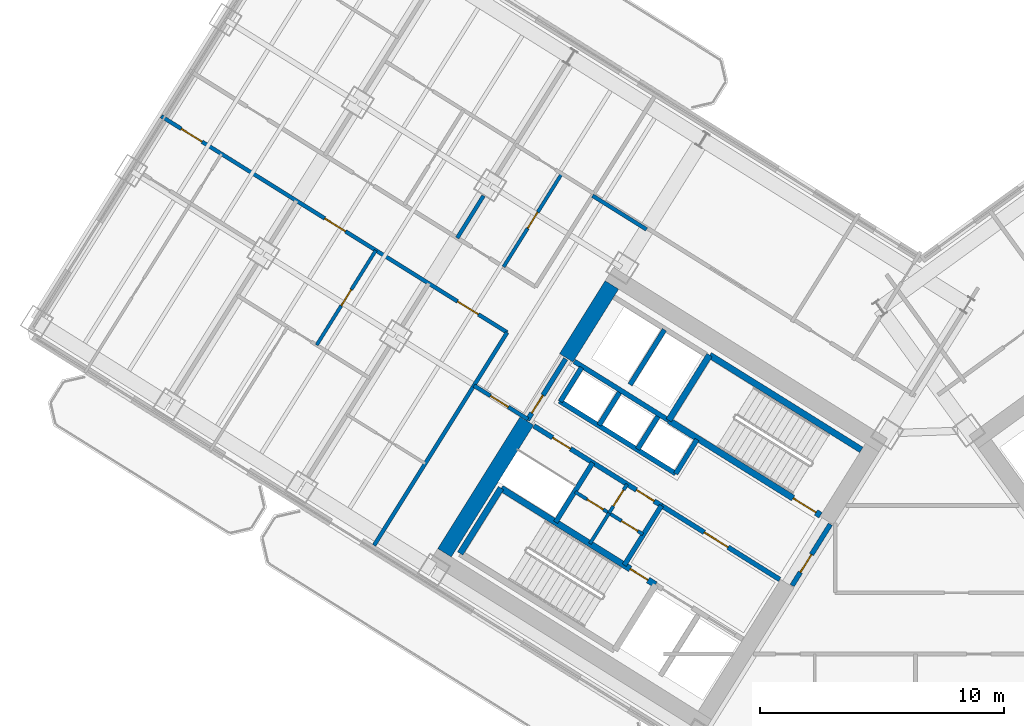
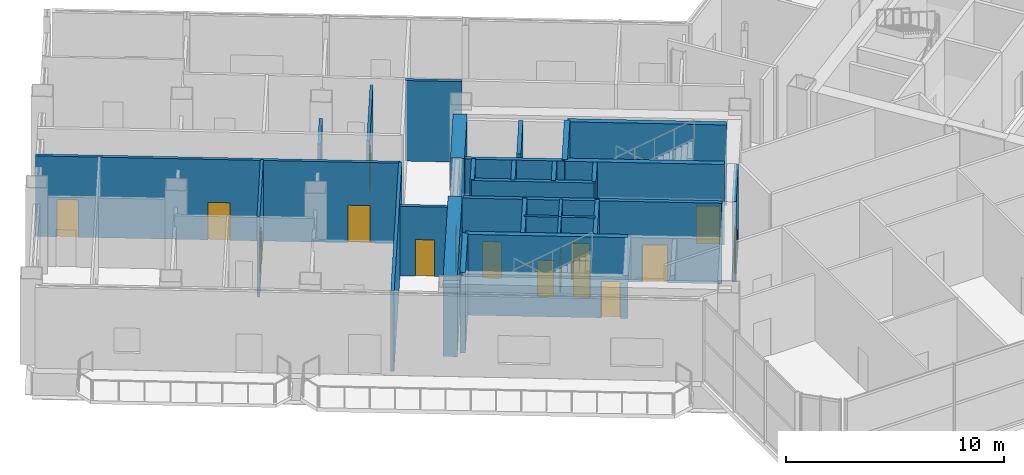
# One storey, part 13 of 22: 30 walls, 16 doors, 16 openings.
"""IFC4 building model written with IfcOpenShell, lengths in metres."""

from ifc_helpers import new_model, si_unit, direction, frame, frame_2d, origin, place, context, subcontext, project, spatial, rectangle, extrude, source, transform, mapped, material, layer, layer_set, type_object, element, fill, save


model = new_model("IFC4")

# Units and contexts
model_context = context("Model", 3, precision=1e-05, world=origin(), true_north=direction((0.0, 1.0)))
body_context = subcontext(model_context, "Body", "Model", "MODEL_VIEW")
ifc_project = project(units=[si_unit("LENGTHUNIT", "METRE"), si_unit("AREAUNIT", "SQUARE_METRE"), si_unit("VOLUMEUNIT", "CUBIC_METRE"), si_unit("PLANEANGLEUNIT", "RADIAN"), si_unit("MASSUNIT", "GRAM", prefix="KILO")], contexts=[model_context])

# Site, building, storey
site_placement = place(None, origin())
site = spatial("IfcSite", under=ifc_project, at=site_placement, CompositionType="ELEMENT")
building_placement = place(site_placement, origin())
building = spatial("IfcBuilding", under=site, at=building_placement, Name="Tlacorven Tower", CompositionType="ELEMENT")
storey_placement = place(building_placement, frame((0.0, 0.0, 71.699951171875)))
storey = spatial("IfcBuildingStorey", under=building, at=storey_placement, Name="L18", CompositionType="ELEMENT", Elevation=71.699951171875)

# Walls
ifc_material_1 = material(Name="Concrete C60/75", Category="concrete")
ifc_layer_1 = layer(ifc_material_1, 0.64990234375)
ifc_layer_set_1 = layer_set([ifc_layer_1], Name="Concrete C60/75")
wall_type_1 = type_object("IfcWallType", Name="WL-COR-650", PredefinedType="SHEAR", material=ifc_layer_set_1)
wall_1_placement = place(storey_placement, frame((29.49072265625, 30.5517578125, 0.0), z_axis=(0.0, 0.0, 1.0), x_axis=(-0.529893103397, -0.8480644427, 0.0)))
element("IfcWall", 1, at=wall_1_placement, inside=storey, type_object=wall_type_1, Name="L18 W core end wall E2.1", PredefinedType="SHEAR", context=body_context, shape_type="SweptSolid", body=[
    extrude(rectangle(XDim=3.525146484375, YDim=0.64990234375, at=frame_2d((1.7626953125, 0.0))), origin(), (0.0, 0.0, 1.0), 4.52001953125),
])
wall_2_placement = place(storey_placement, frame((26.006591796875, 24.975830078125, 0.0), z_axis=(0.0, 0.0, 1.0), x_axis=(-0.529916319127, -0.848049936456, 0.0)))
element("IfcWall", 2, at=wall_2_placement, inside=storey, type_object=wall_type_1, Name="L18 W core end wall E2.2", PredefinedType="SHEAR", context=body_context, shape_type="SweptSolid", body=[
    extrude(rectangle(XDim=6.375, YDim=0.64990234375, at=frame_2d((3.1875, 0.0))), origin(), (0.0, 0.0, 1.0), 4.52001953125),
])
ifc_material_2 = material(Name="Gypsum plasterboard acoustic partition", Category="gypsum")
ifc_layer_2 = layer(ifc_material_2, 0.159912109375)
ifc_layer_set_2 = layer_set([ifc_layer_2], Name="Gypsum plasterboard acoustic partition")
wall_type_2 = type_object("IfcWallType", Name="WL-DEM-160", PredefinedType="PARTITIONING", material=ifc_layer_set_2)
wall_3_placement = place(storey_placement, frame((30.91357421875, 32.82861328125, 0.0), z_axis=(0.0, 0.0, 1.0), x_axis=(-0.848008813643, 0.529982124211, 0.0)))
element("IfcWall", 3, at=wall_3_placement, inside=storey, type_object=wall_type_2, Name="L18 partition 49", PredefinedType="PARTITIONING", context=body_context, shape_type="SweptSolid", body=[
    extrude(rectangle(XDim=2.610107421875, YDim=0.159912109375, at=frame_2d((1.30517578125, 0.0))), origin(), (0.0, 0.0, 1.0), 4.510009765625),
])

# Wall, opening, door
wall_4_placement = place(storey_placement, frame((26.048828125, 25.043701171875, 0.0), z_axis=(0.0, 0.0, 1.0), x_axis=(-0.848050851465, 0.529914854792, 0.0)))
wall_4 = element("IfcWall", 4, at=wall_4_placement, inside=storey, type_object=wall_type_2, Name="L18 partition 50", PredefinedType="PARTITIONING", context=body_context, shape_type="SweptSolid", body=[
    extrude(rectangle(XDim=2.60986328125, YDim=0.159912109375, at=frame_2d((1.304931640625, 0.0))), origin(), (0.0, 0.0, 1.0), 3.89501953125),
])
opening_1_placement = place(wall_4_placement, frame((0.949951171875, 0.0, 0.0)))
opening_1 = element("IfcOpeningElement", 5, at=opening_1_placement, cuts=wall_4, Name="Opening D19", PredefinedType="OPENING", context=body_context, shape_type="SweptSolid", body=[
    extrude(rectangle(XDim=0.860107421875, YDim=2.050048828125, at=frame_2d((0.43017578125, 1.02490234375))), frame((0.0, 0.08984375, 0.0), z_axis=(0.0, -1.0, 0.0), x_axis=(1.0, 0.0, 0.0)), (0.0, 0.0, 1.0), 0.179931640625),
])
ifc_material_3 = material(Name="Fire-rated steel door assembly", Category="steel")
door_type_1 = type_object("IfcDoorType", Name="DR-RSR-FD60-0860", OperationType="NOTDEFINED", PredefinedType="DOOR", material=ifc_material_3)
shared_shape_1 = source(origin(), body_context, "Body", "SweptSolid", [
    extrude(rectangle(XDim=0.860107421875, YDim=2.050048828125, at=frame_2d((0.43017578125, 1.02490234375))), frame((0.0, 0.02490234375, 0.0), z_axis=(0.0, -1.0, 0.0), x_axis=(1.0, 0.0, 0.0)), (0.0, 0.0, 1.0), 0.050048828125),
])
door_1_placement = place(opening_1_placement, origin())
door_1 = element("IfcDoor", 6, at=door_1_placement, inside=storey, type_object=door_type_1, Name="L18 door 021", OperationType="SINGLE_SWING_RIGHT", OverallHeight=2.050048828125, OverallWidth=0.860107421875, PredefinedType="DOOR", context=body_context, shape_type="MappedRepresentation", body=[
    mapped(shared_shape_1, transform((0.0, 0.0, 0.0), scale=1.0)),
])
fill(opening_1, door_1)

# Wall
wall_5_placement = place(storey_placement, frame((25.197509765625, 28.606201171875, 0.0), z_axis=(0.0, 0.0, 1.0), x_axis=(-0.529926497642, -0.848043576178, 0.0)))
element("IfcWall", 7, at=wall_5_placement, inside=storey, type_object=wall_type_2, Name="L18 partition 52", PredefinedType="PARTITIONING", context=body_context, shape_type="SweptSolid", body=[
    extrude(rectangle(XDim=10.300048828125, YDim=0.159912109375, at=frame_2d((5.14990234375, 0.0))), origin(), (0.0, 0.0, 1.0), 4.510009765625),
])

# Wall, openings, doors
wall_6_placement = place(storey_placement, frame((25.197509765625, 28.606201171875, 0.0), z_axis=(0.0, 0.0, 1.0), x_axis=(-0.848052408131, 0.529912363569, 0.0)))
wall_6 = element("IfcWall", 8, at=wall_6_placement, inside=storey, type_object=wall_type_2, Name="L18 Wing W Corridor North Wall", PredefinedType="PARTITIONING", context=body_context, shape_type="SweptSolid", body=[
    extrude(rectangle(XDim=16.72998046875, YDim=0.159912109375, at=frame_2d((8.364990234375, 0.0))), origin(), (0.0, 0.0, 1.0), 4.510009765625),
])
opening_2_placement = place(wall_6_placement, frame((1.39501953125, 0.0, 0.0)))
opening_2 = element("IfcOpeningElement", 9, at=opening_2_placement, cuts=wall_6, Name="Opening D11", PredefinedType="OPENING", context=body_context, shape_type="SweptSolid", body=[
    extrude(rectangle(XDim=1.0, YDim=2.10009765625, at=frame_2d((0.5, 1.050048828125))), frame((0.0, 0.08984375, 0.0), z_axis=(0.0, -1.0, 0.0), x_axis=(1.0, 0.0, 0.0)), (0.0, 0.0, 1.0), 0.179931640625),
])
opening_3_placement = place(wall_6_placement, frame((7.820068359375, 0.0, 0.0)))
opening_3 = element("IfcOpeningElement", 10, at=opening_3_placement, cuts=wall_6, Name="Opening D11", PredefinedType="OPENING", context=body_context, shape_type="SweptSolid", body=[
    extrude(rectangle(XDim=1.0, YDim=2.10009765625, at=frame_2d((0.5, 1.050048828125))), frame((0.0, 0.08984375, 0.0), z_axis=(0.0, -1.0, 0.0), x_axis=(1.0, 0.0, 0.0)), (0.0, 0.0, 1.0), 0.179931640625),
])
opening_4_placement = place(wall_6_placement, frame((14.760009765625, 0.0, 0.0)))
opening_4 = element("IfcOpeningElement", 11, at=opening_4_placement, cuts=wall_6, Name="Opening D11", PredefinedType="OPENING", context=body_context, shape_type="SweptSolid", body=[
    extrude(rectangle(XDim=1.0, YDim=2.10009765625, at=frame_2d((0.5, 1.050048828125))), frame((0.0, 0.08984375, 0.0), z_axis=(0.0, -1.0, 0.0), x_axis=(1.0, 0.0, 0.0)), (0.0, 0.0, 1.0), 0.179931640625),
])
door_type_2 = type_object("IfcDoorType", Name="DR-FLT-FD60-1000", OperationType="NOTDEFINED", PredefinedType="DOOR", material=ifc_material_3)
shared_shape_2 = source(origin(), body_context, "Body", "SweptSolid", [
    extrude(rectangle(XDim=1.0, YDim=2.10009765625, at=frame_2d((0.5, 1.050048828125))), frame((0.0, 0.02490234375, 0.0), z_axis=(0.0, -1.0, 0.0), x_axis=(1.0, 0.0, 0.0)), (0.0, 0.0, 1.0), 0.050048828125),
])
door_2_placement = place(opening_2_placement, origin())
door_2 = element("IfcDoor", 12, at=door_2_placement, inside=storey, type_object=door_type_2, Name="L18 door 023", OperationType="SINGLE_SWING_LEFT", OverallHeight=2.10009765625, OverallWidth=1.0, PredefinedType="DOOR", context=body_context, shape_type="MappedRepresentation", body=[
    mapped(shared_shape_2, transform((0.0, 0.0, 0.0), scale=1.0)),
])
fill(opening_2, door_2)
door_3_placement = place(opening_3_placement, origin())
door_3 = element("IfcDoor", 13, at=door_3_placement, inside=storey, type_object=door_type_2, Name="L18 door 026", OperationType="SINGLE_SWING_RIGHT", OverallHeight=2.10009765625, OverallWidth=1.0, PredefinedType="DOOR", context=body_context, shape_type="MappedRepresentation", body=[
    mapped(shared_shape_2, transform((0.0, 0.0, 0.0), scale=1.0)),
])
fill(opening_3, door_3)
door_4_placement = place(opening_4_placement, origin())
door_4 = element("IfcDoor", 14, at=door_4_placement, inside=storey, type_object=door_type_2, Name="L18 door 030", OperationType="SINGLE_SWING_RIGHT", OverallHeight=2.10009765625, OverallWidth=1.0, PredefinedType="DOOR", context=body_context, shape_type="MappedRepresentation", body=[
    mapped(shared_shape_2, transform((0.0, 0.0, 0.0), scale=1.0)),
])
fill(opening_4, door_4)

# Wall
wall_7_placement = place(storey_placement, frame((24.22900390625, 34.208740234375, 0.0), z_axis=(0.0, 0.0, 1.0), x_axis=(-0.529826648289, -0.84810596199, 0.0)))
element("IfcWall", 15, at=wall_7_placement, inside=storey, type_object=wall_type_2, Name="L18 WS Demising Wall 1", PredefinedType="PARTITIONING", context=body_context, shape_type="SweptSolid", body=[
    extrude(rectangle(XDim=2.0380859375, YDim=0.159912109375, at=frame_2d((1.01904296875, 0.0))), origin(), (0.0, 0.0, 1.0), 3.89501953125),
])

# Wall, opening, door
ifc_material_4 = material(Name="Moisture-resistant gypsum plumbing wall", Category="gypsum")
ifc_layer_3 = layer(ifc_material_4, 0.139892578125)
ifc_layer_set_3 = layer_set([ifc_layer_3], Name="Moisture-resistant gypsum plumbing wall")
wall_type_3 = type_object("IfcWallType", Name="WL-PLM-140", PredefinedType="PLUMBINGWALL", material=ifc_layer_set_3)
wall_8_placement = place(storey_placement, frame((30.117431640625, 22.383544921875, 0.0), z_axis=(0.0, 0.0, 1.0), x_axis=(-0.529951914384, -0.848027693204, 0.0)))
wall_8 = element("IfcWall", 16, at=wall_8_placement, inside=storey, type_object=wall_type_3, Name="L18 partition 23", PredefinedType="PLUMBINGWALL", context=body_context, shape_type="SweptSolid", body=[
    extrude(rectangle(XDim=1.39990234375, YDim=0.139892578125, at=frame_2d((0.699951171875, 0.0))), origin(), (0.0, 0.0, 1.0), 4.510009765625),
])
opening_5_placement = place(wall_8_placement, frame((0.280029296875, 0.0, 0.0)))
opening_5 = element("IfcOpeningElement", 17, at=opening_5_placement, cuts=wall_8, Name="Opening D22", PredefinedType="OPENING", context=body_context, shape_type="SweptSolid", body=[
    extrude(rectangle(XDim=0.780029296875, YDim=2.050048828125, at=frame_2d((0.39013671875, 1.02490234375))), frame((0.0, 0.080078125, 0.0), z_axis=(0.0, -1.0, 0.0), x_axis=(1.0, 0.0, 0.0)), (0.0, 0.0, 1.0), 0.159912109375),
])
ifc_material_5 = material(Name="Powder-coated aluminium and timber door", Category="wood")
door_type_3 = type_object("IfcDoorType", Name="DR-INT-WET-0780", OperationType="NOTDEFINED", PredefinedType="DOOR", material=ifc_material_5)
shared_shape_3 = source(origin(), body_context, "Body", "SweptSolid", [
    extrude(rectangle(XDim=0.780029296875, YDim=2.050048828125, at=frame_2d((0.39013671875, 1.02490234375))), frame((0.0, 0.02490234375, 0.0), z_axis=(0.0, -1.0, 0.0), x_axis=(1.0, 0.0, 0.0)), (0.0, 0.0, 1.0), 0.050048828125),
])
door_5_placement = place(opening_5_placement, origin())
door_5 = element("IfcDoor", 18, at=door_5_placement, inside=storey, type_object=door_type_3, Name="L18 door 008", OperationType="SINGLE_SWING_LEFT", OverallHeight=2.050048828125, OverallWidth=0.780029296875, PredefinedType="DOOR", context=body_context, shape_type="MappedRepresentation", body=[
    mapped(shared_shape_3, transform((0.0, 0.0, 0.0), scale=1.0)),
])
fill(opening_5, door_5)

# Wall
wall_9_placement = place(storey_placement, frame((29.37548828125, 21.1962890625, 0.0), z_axis=(0.0, 0.0, 1.0), x_axis=(-0.529865479138, -0.848081702443, 0.0)))
element("IfcWall", 19, at=wall_9_placement, inside=storey, type_object=wall_type_3, Name="L18 partition 24", PredefinedType="PLUMBINGWALL", context=body_context, shape_type="SweptSolid", body=[
    extrude(rectangle(XDim=1.47998046875, YDim=0.139892578125, at=frame_2d((0.739990234375, 0.0))), origin(), (0.0, 0.0, 1.0), 4.510009765625),
])

# Wall, openings, doors
wall_10_placement = place(storey_placement, frame((30.766357421875, 20.3271484375, 0.0), z_axis=(0.0, 0.0, 1.0), x_axis=(-0.848052663127, 0.529911955482, 0.0)))
wall_10 = element("IfcWall", 20, at=wall_10_placement, inside=storey, type_object=wall_type_3, Name="L18 partition 25", PredefinedType="PLUMBINGWALL", context=body_context, shape_type="SweptSolid", body=[
    extrude(rectangle(XDim=3.27978515625, YDim=0.139892578125, at=frame_2d((1.639892578125, 0.0))), origin(), (0.0, 0.0, 1.0), 4.510009765625),
])
opening_6_placement = place(wall_10_placement, frame((0.25, 0.0, 0.0)))
opening_6 = element("IfcOpeningElement", 21, at=opening_6_placement, cuts=wall_10, Name="Opening D22", PredefinedType="OPENING", context=body_context, shape_type="SweptSolid", body=[
    extrude(rectangle(XDim=0.780029296875, YDim=2.050048828125, at=frame_2d((0.39013671875, 1.02490234375))), frame((0.0, 0.080078125, 0.0), z_axis=(0.0, -1.0, 0.0), x_axis=(1.0, 0.0, 0.0)), (0.0, 0.0, 1.0), 0.159912109375),
])
opening_7_placement = place(wall_10_placement, frame((1.919921875, 0.0, 0.0)))
opening_7 = element("IfcOpeningElement", 22, at=opening_7_placement, cuts=wall_10, Name="Opening D22", PredefinedType="OPENING", context=body_context, shape_type="SweptSolid", body=[
    extrude(rectangle(XDim=0.780029296875, YDim=2.050048828125, at=frame_2d((0.39013671875, 1.02490234375))), frame((0.0, 0.080078125, 0.0), z_axis=(0.0, -1.0, 0.0), x_axis=(1.0, 0.0, 0.0)), (0.0, 0.0, 1.0), 0.159912109375),
])
door_6_placement = place(opening_6_placement, origin())
door_6 = element("IfcDoor", 23, at=door_6_placement, inside=storey, type_object=door_type_3, Name="L18 door 009", OperationType="SINGLE_SWING_RIGHT", OverallHeight=2.050048828125, OverallWidth=0.780029296875, PredefinedType="DOOR", context=body_context, shape_type="MappedRepresentation", body=[
    mapped(shared_shape_3, transform((0.0, 0.0, 0.0), scale=1.0)),
])
fill(opening_6, door_6)
door_7_placement = place(opening_7_placement, origin())
door_7 = element("IfcDoor", 24, at=door_7_placement, inside=storey, type_object=door_type_3, Name="L18 door 010", OperationType="SINGLE_SWING_LEFT", OverallHeight=2.050048828125, OverallWidth=0.780029296875, PredefinedType="DOOR", context=body_context, shape_type="MappedRepresentation", body=[
    mapped(shared_shape_3, transform((0.0, 0.0, 0.0), scale=1.0)),
])
fill(opening_7, door_7)

# Wall, opening, door
wall_11_placement = place(storey_placement, frame((19.812255859375, 31.97119140625, 0.0), z_axis=(0.0, 0.0, 1.0), x_axis=(-0.529917480809, -0.848049210561, 0.0)))
wall_11 = element("IfcWall", 25, at=wall_11_placement, inside=storey, type_object=wall_type_3, Name="L18 partition 60", PredefinedType="PLUMBINGWALL", context=body_context, shape_type="SweptSolid", body=[
    extrude(rectangle(XDim=4.580078125, YDim=0.139892578125, at=frame_2d((2.2900390625, 0.0))), origin(), (0.0, 0.0, 1.0), 4.510009765625),
])
opening_8_placement = place(wall_11_placement, frame((1.89990234375, 0.0, 0.0)))
opening_8 = element("IfcOpeningElement", 26, at=opening_8_placement, cuts=wall_11, Name="Opening D22", PredefinedType="OPENING", context=body_context, shape_type="SweptSolid", body=[
    extrude(rectangle(XDim=0.780029296875, YDim=2.050048828125, at=frame_2d((0.39013671875, 1.02490234375))), frame((0.0, 0.080078125, 0.0), z_axis=(0.0, -1.0, 0.0), x_axis=(1.0, 0.0, 0.0)), (0.0, 0.0, 1.0), 0.159912109375),
])
door_8_placement = place(opening_8_placement, origin())
door_8 = element("IfcDoor", 27, at=door_8_placement, inside=storey, type_object=door_type_3, Name="L18 door 028", OperationType="SINGLE_SWING_RIGHT", OverallHeight=2.050048828125, OverallWidth=0.780029296875, PredefinedType="DOOR", context=body_context, shape_type="MappedRepresentation", body=[
    mapped(shared_shape_3, transform((0.0, 0.0, 0.0), scale=1.0)),
])
fill(opening_8, door_8)

wall_12_placement = place(storey_placement, frame((27.438720703125, 35.117919921875, 0.0), z_axis=(0.0, 0.0, 1.0), x_axis=(-0.529911350634, -0.84805304107, 0.0)))
wall_12 = element("IfcWall", 28, at=wall_12_placement, inside=storey, type_object=wall_type_3, Name="L18 partition 68", PredefinedType="PLUMBINGWALL", context=body_context, shape_type="SweptSolid", body=[
    extrude(rectangle(XDim=4.510009765625, YDim=0.139892578125, at=frame_2d((2.2548828125, 0.0))), origin(), (0.0, 0.0, 1.0), 4.135009765625),
])
opening_9_placement = place(wall_12_placement, frame((1.864990234375, 0.0, 0.0)))
opening_9 = element("IfcOpeningElement", 29, at=opening_9_placement, cuts=wall_12, Name="Opening D22", PredefinedType="OPENING", context=body_context, shape_type="SweptSolid", body=[
    extrude(rectangle(XDim=0.780029296875, YDim=2.050048828125, at=frame_2d((0.39013671875, 1.02490234375))), frame((0.0, 0.080078125, 0.0), z_axis=(0.0, -1.0, 0.0), x_axis=(1.0, 0.0, 0.0)), (0.0, 0.0, 1.0), 0.159912109375),
])
door_9_placement = place(opening_9_placement, origin())
door_9 = element("IfcDoor", 30, at=door_9_placement, inside=storey, type_object=door_type_3, Name="L18 door 036", OperationType="SINGLE_SWING_RIGHT", OverallHeight=2.050048828125, OverallWidth=0.780029296875, PredefinedType="DOOR", context=body_context, shape_type="MappedRepresentation", body=[
    mapped(shared_shape_3, transform((0.0, 0.0, 0.0), scale=1.0)),
])
fill(opening_9, door_9)

ifc_material_6 = material(Name="Concrete C40/50", Category="concrete")
ifc_layer_4 = layer(ifc_material_6, 0.199951171875)
ifc_layer_set_4 = layer_set([ifc_layer_4], Name="Concrete C40/50")
wall_type_4 = type_object("IfcWallType", Name="WL-SHF-200", PredefinedType="STANDARD", material=ifc_layer_set_4)
wall_13_placement = place(storey_placement, frame((36.374267578125, 18.4736328125, 0.0), z_axis=(0.0, 0.0, 1.0), x_axis=(-0.848051071577, 0.529914502535, 0.0)))
wall_13 = element("IfcWall", 31, at=wall_13_placement, inside=storey, type_object=wall_type_4, Name="L18 Core W Smoke Lobby Wall", PredefinedType="STANDARD", context=body_context, shape_type="SweptSolid", body=[
    extrude(rectangle(XDim=5.718017578125, YDim=0.199951171875, at=frame_2d((2.85888671875, 0.0))), origin(), (0.0, 0.0, 1.0), 4.510009765625),
])
opening_10_placement = place(wall_13_placement, frame((2.498046875, 0.0, 0.0)))
opening_10 = element("IfcOpeningElement", 32, at=opening_10_placement, cuts=wall_13, Name="Opening D09", PredefinedType="OPENING", context=body_context, shape_type="SweptSolid", body=[
    extrude(rectangle(XDim=1.14990234375, YDim=2.10009765625, at=frame_2d((0.574951171875, 1.050048828125))), frame((0.0, 0.10986328125, 0.0), z_axis=(0.0, -1.0, 0.0), x_axis=(1.0, 0.0, 0.0)), (0.0, 0.0, 1.0), 0.219970703125),
])
door_type_4 = type_object("IfcDoorType", Name="DR-FFL-FD60-1150", OperationType="NOTDEFINED", PredefinedType="DOOR", material=ifc_material_3)
shared_shape_4 = source(origin(), body_context, "Body", "SweptSolid", [
    extrude(rectangle(XDim=1.14990234375, YDim=2.10009765625, at=frame_2d((0.574951171875, 1.050048828125))), frame((0.0, 0.02490234375, 0.0), z_axis=(0.0, -1.0, 0.0), x_axis=(1.0, 0.0, 0.0)), (0.0, 0.0, 1.0), 0.050048828125),
])
door_10_placement = place(opening_10_placement, origin())
door_10 = element("IfcDoor", 33, at=door_10_placement, inside=storey, type_object=door_type_4, Name="L18 Firefighting Lobby W Fire Door", OperationType="SINGLE_SWING_RIGHT", OverallHeight=2.10009765625, OverallWidth=1.14990234375, PredefinedType="DOOR", context=body_context, shape_type="MappedRepresentation", body=[
    mapped(shared_shape_4, transform((0.0, 0.0, 0.0), scale=1.0)),
])
fill(opening_10, door_10)

# Walls
wall_14_placement = place(storey_placement, frame((31.82177734375, 24.99755859375, 0.0), z_axis=(0.0, 0.0, 1.0), x_axis=(-0.848058348634, 0.529902856485, 0.0)))
element("IfcWall", 34, at=wall_14_placement, inside=storey, type_object=wall_type_4, Name="L18 Core W South Lift Shaft Wall", PredefinedType="STANDARD", context=body_context, shape_type="SweptSolid", body=[
    extrude(rectangle(XDim=4.568115234375, YDim=0.199951171875, at=frame_2d((2.2841796875, 0.0))), origin(), (0.0, 0.0, 1.0), 4.510009765625),
])
wall_15_placement = place(storey_placement, frame((32.108154296875, 22.81396484375, 0.0), z_axis=(0.0, 0.0, 1.0), x_axis=(-0.848042229521, 0.529928652696, 0.0)))
element("IfcWall", 35, at=wall_15_placement, inside=storey, type_object=wall_type_4, Name="L18 partition 11", PredefinedType="STANDARD", context=body_context, shape_type="SweptSolid", body=[
    extrude(rectangle(XDim=5.6201171875, YDim=0.199951171875, at=frame_2d((2.81005859375, 0.0))), origin(), (0.0, 0.0, 1.0), 4.510009765625),
])
wall_16_placement = place(storey_placement, frame((32.982421875, 24.21337890625, 0.0), z_axis=(0.0, 0.0, 1.0), x_axis=(-0.529839334948, -0.84809803628, 0.0)))
element("IfcWall", 36, at=wall_16_placement, inside=storey, type_object=wall_type_4, Name="L18 partition 12", PredefinedType="STANDARD", context=body_context, shape_type="SweptSolid", body=[
    extrude(rectangle(XDim=1.650146484375, YDim=0.199951171875, at=frame_2d((0.8251953125, 0.0))), origin(), (0.0, 0.0, 1.0), 4.510009765625),
])
wall_17_placement = place(storey_placement, frame((28.250244140625, 27.170166015625, 0.0), z_axis=(0.0, 0.0, 1.0), x_axis=(-0.529905827651, -0.848056492117, 0.0)))
element("IfcWall", 37, at=wall_17_placement, inside=storey, type_object=wall_type_4, Name="L18 partition 13", PredefinedType="STANDARD", context=body_context, shape_type="SweptSolid", body=[
    extrude(rectangle(XDim=1.64990234375, YDim=0.199951171875, at=frame_2d((0.824951171875, 0.0))), origin(), (0.0, 0.0, 1.0), 4.510009765625),
])
wall_18_placement = place(storey_placement, frame((31.645263671875, 28.716064453125, 0.0), z_axis=(0.0, 0.0, 1.0), x_axis=(-0.52986693015, -0.848080795876, 0.0)))
element("IfcWall", 38, at=wall_18_placement, inside=storey, type_object=wall_type_4, Name="L18 partition 15", PredefinedType="STANDARD", context=body_context, shape_type="SweptSolid", body=[
    extrude(rectangle(XDim=2.659912109375, YDim=0.199951171875, at=frame_2d((1.330078125, 0.0))), origin(), (0.0, 0.0, 1.0), 4.510009765625),
])
for number, where, z_axis, x_axis, name in (
    (39, (31.378662109375, 25.156494140625, 0.0), (0.0, 0.0, 1.0), (-0.529998940003, -0.847998304005, 0.0), "L18 partition 18"),
    (40, (29.80126953125, 26.14208984375, 0.0), (0.0, 0.0, 1.0), (-0.529998940003, -0.847998304005, 0.0), "L18 partition 19"),
):
    element("IfcWall", number, at=place(storey_placement, frame(where, z_axis=z_axis, x_axis=x_axis)), inside=storey, type_object=wall_type_4, Name=name, PredefinedType="STANDARD", context=body_context, shape_type="SweptSolid", body=[
        extrude(rectangle(XDim=1.580078125, YDim=0.199951171875, at=frame_2d((0.7900390625, 0.0))), origin(), (0.0, 0.0, 1.0), 4.510009765625),
    ])
for number, where, z_axis, x_axis, name in (
    (41, (31.525146484375, 21.503662109375, 0.0), (0.0, 0.0, 1.0), (-0.529907497854, -0.848055448493, 0.0), "L18 partition 20"),
    (42, (28.709716796875, 23.26318359375, 0.0), (0.0, 0.0, 1.0), (-0.529907497854, -0.848055448493, 0.0), "L18 partition 21"),
):
    element("IfcWall", number, at=place(storey_placement, frame(where, z_axis=z_axis, x_axis=x_axis)), inside=storey, type_object=wall_type_4, Name=name, PredefinedType="STANDARD", context=body_context, shape_type="SweptSolid", body=[
        extrude(rectangle(XDim=2.8798828125, YDim=0.199951171875, at=frame_2d((1.43994140625, 0.0))), origin(), (0.0, 0.0, 1.0), 4.510009765625),
    ])

# Wall, openings, doors
wall_19_placement = place(storey_placement, frame((31.525146484375, 21.503662109375, 0.0), z_axis=(0.0, 0.0, 1.0), x_axis=(-0.848044998614, 0.529924221305, 0.0)))
wall_19 = element("IfcWall", 43, at=wall_19_placement, inside=storey, type_object=wall_type_4, Name="L18 Core W North Service Wall", PredefinedType="STANDARD", context=body_context, shape_type="SweptSolid", body=[
    extrude(rectangle(XDim=6.16796875, YDim=0.199951171875, at=frame_2d((3.083984375, 0.0))), origin(), (0.0, 0.0, 1.0), 4.510009765625),
])
opening_11_placement = place(wall_19_placement, frame((4.39990234375, 0.0, 0.0)))
opening_11 = element("IfcOpeningElement", 44, at=opening_11_placement, cuts=wall_19, Name="Opening D19", PredefinedType="OPENING", context=body_context, shape_type="SweptSolid", body=[
    extrude(rectangle(XDim=0.860107421875, YDim=2.050048828125, at=frame_2d((0.43017578125, 1.02490234375))), frame((0.0, 0.10986328125, 0.0), z_axis=(0.0, -1.0, 0.0), x_axis=(1.0, 0.0, 0.0)), (0.0, 0.0, 1.0), 0.219970703125),
])
opening_12_placement = place(wall_19_placement, frame((0.35009765625, 0.0, 0.0)))
opening_12 = element("IfcOpeningElement", 45, at=opening_12_placement, cuts=wall_19, Name="Opening D19", PredefinedType="OPENING", context=body_context, shape_type="SweptSolid", body=[
    extrude(rectangle(XDim=0.860107421875, YDim=2.050048828125, at=frame_2d((0.43017578125, 1.02490234375))), frame((0.0, 0.10986328125, 0.0), z_axis=(0.0, -1.0, 0.0), x_axis=(1.0, 0.0, 0.0)), (0.0, 0.0, 1.0), 0.219970703125),
])
door_11_placement = place(opening_11_placement, frame((0.860107421875, 0.0, 0.0), z_axis=(0.0, 0.0, 1.0), x_axis=(-1.0, 0.0, 0.0)))
door_11 = element("IfcDoor", 46, at=door_11_placement, inside=storey, type_object=door_type_1, Name="L18 Electrical Riser Access Door W", OperationType="SINGLE_SWING_LEFT", OverallHeight=2.050048828125, OverallWidth=0.860107421875, PredefinedType="DOOR", context=body_context, shape_type="MappedRepresentation", body=[
    mapped(shared_shape_1, transform((0.0, 0.0, 0.0), scale=1.0)),
])
fill(opening_11, door_11)
door_12_placement = place(opening_12_placement, frame((0.860107421875, 0.0, 0.0), z_axis=(0.0, 0.0, 1.0), x_axis=(-1.0, 0.0, 0.0)))
door_12 = element("IfcDoor", 47, at=door_12_placement, inside=storey, type_object=door_type_1, Name="L18 Cleaning Room Access Door W", OperationType="SINGLE_SWING_RIGHT", OverallHeight=2.050048828125, OverallWidth=0.860107421875, PredefinedType="DOOR", context=body_context, shape_type="MappedRepresentation", body=[
    mapped(shared_shape_1, transform((0.0, 0.0, 0.0), scale=1.0)),
])
fill(opening_12, door_12)

# Wall, opening, door
wall_20_placement = place(storey_placement, frame((27.59619140625, 27.52001953125, 0.0), z_axis=(0.0, 0.0, 1.0), x_axis=(-0.529865479138, -0.848081702443, 0.0)))
wall_20 = element("IfcWall", 48, at=wall_20_placement, inside=storey, type_object=wall_type_4, Name="L18 partition 48", PredefinedType="STANDARD", context=body_context, shape_type="SweptSolid", body=[
    extrude(rectangle(XDim=2.9599609375, YDim=0.199951171875, at=frame_2d((1.47998046875, 0.0))), origin(), (0.0, 0.0, 1.0), 4.510009765625),
])
opening_13_placement = place(wall_20_placement, frame((1.760009765625, 0.0, 0.0)))
opening_13 = element("IfcOpeningElement", 49, at=opening_13_placement, cuts=wall_20, Name="Opening D19", PredefinedType="OPENING", context=body_context, shape_type="SweptSolid", body=[
    extrude(rectangle(XDim=0.860107421875, YDim=2.050048828125, at=frame_2d((0.43017578125, 1.02490234375))), frame((0.0, 0.10986328125, 0.0), z_axis=(0.0, -1.0, 0.0), x_axis=(1.0, 0.0, 0.0)), (0.0, 0.0, 1.0), 0.219970703125),
])
door_13_placement = place(opening_13_placement, origin())
door_13 = element("IfcDoor", 50, at=door_13_placement, inside=storey, type_object=door_type_1, Name="L18 door 022", OperationType="SINGLE_SWING_LEFT", OverallHeight=2.050048828125, OverallWidth=0.860107421875, PredefinedType="DOOR", context=body_context, shape_type="MappedRepresentation", body=[
    mapped(shared_shape_1, transform((0.0, 0.0, 0.0), scale=1.0)),
])
fill(opening_13, door_13)

wall_21_placement = place(storey_placement, frame((38.451416015625, 20.737060546875, 0.0), z_axis=(0.0, 0.0, 1.0), x_axis=(-0.529924799939, -0.848044637038, 0.0)))
wall_21 = element("IfcWall", 51, at=wall_21_placement, inside=storey, type_object=wall_type_4, Name="L18 partition 78", PredefinedType="STANDARD", context=body_context, shape_type="SweptSolid", body=[
    extrude(rectangle(XDim=2.9599609375, YDim=0.199951171875, at=frame_2d((1.47998046875, 0.0))), origin(), (0.0, 0.0, 1.0), 4.510009765625),
])
opening_14_placement = place(wall_21_placement, frame((1.4599609375, 0.0, 0.0)))
opening_14 = element("IfcOpeningElement", 52, at=opening_14_placement, cuts=wall_21, Name="Opening D19", PredefinedType="OPENING", context=body_context, shape_type="SweptSolid", body=[
    extrude(rectangle(XDim=0.860107421875, YDim=2.050048828125, at=frame_2d((0.43017578125, 1.02490234375))), frame((0.0, 0.10986328125, 0.0), z_axis=(0.0, -1.0, 0.0), x_axis=(1.0, 0.0, 0.0)), (0.0, 0.0, 1.0), 0.219970703125),
])
door_14_placement = place(opening_14_placement, frame((0.860107421875, 0.0, 0.0), z_axis=(0.0, 0.0, 1.0), x_axis=(-1.0, 0.0, 0.0)))
door_14 = element("IfcDoor", 53, at=door_14_placement, inside=storey, type_object=door_type_1, Name="L18 door 046", OperationType="SINGLE_SWING_LEFT", OverallHeight=2.050048828125, OverallWidth=0.860107421875, PredefinedType="DOOR", context=body_context, shape_type="MappedRepresentation", body=[
    mapped(shared_shape_1, transform((0.0, 0.0, 0.0), scale=1.0)),
])
fill(opening_14, door_14)

ifc_material_7 = material(Name="Concrete C50/60", Category="concrete")
ifc_layer_5 = layer(ifc_material_7, 0.260009765625)
ifc_layer_set_5 = layer_set([ifc_layer_5], Name="Concrete C50/60")
wall_type_5 = type_object("IfcWallType", Name="WL-STW-260", PredefinedType="SHEAR", material=ifc_layer_set_5)
wall_22_placement = place(storey_placement, frame((31.279541015625, 18.26123046875, 0.0), z_axis=(0.0, 0.0, 1.0), x_axis=(-0.848051618787, 0.529913626805, 0.0)))
wall_22 = element("IfcWall", 54, at=wall_22_placement, inside=storey, type_object=wall_type_5, Name="L18 Stair W1 Lobby Shear Wall", PredefinedType="SHEAR", context=body_context, shape_type="SweptSolid", body=[
    extrude(rectangle(XDim=7.4599609375, YDim=0.260009765625, at=frame_2d((3.72998046875, 0.0))), origin(), (0.0, 0.0, 1.0), 4.52001953125),
])
opening_15_placement = place(wall_22_placement, frame((0.360107421875, 0.0, 0.0)))
opening_15 = element("IfcOpeningElement", 55, at=opening_15_placement, cuts=wall_22, Name="Opening D19", PredefinedType="OPENING", context=body_context, shape_type="SweptSolid", body=[
    extrude(rectangle(XDim=0.860107421875, YDim=2.050048828125, at=frame_2d((0.43017578125, 1.02490234375))), frame((0.0, 0.14013671875, 0.0), z_axis=(0.0, -1.0, 0.0), x_axis=(1.0, 0.0, 0.0)), (0.0, 0.0, 1.0), 0.280029296875),
])
door_15_placement = place(opening_15_placement, frame((0.860107421875, 0.0, 0.0), z_axis=(0.0, 0.0, 1.0), x_axis=(-1.0, 0.0, 0.0)))
door_15 = element("IfcDoor", 56, at=door_15_placement, inside=storey, type_object=door_type_1, Name="L18 Exit Stair W1 Fire Door", OperationType="SINGLE_SWING_LEFT", OverallHeight=2.050048828125, OverallWidth=0.860107421875, PredefinedType="DOOR", context=body_context, shape_type="MappedRepresentation", body=[
    mapped(shared_shape_1, transform((0.0, 0.0, 0.0), scale=1.0)),
])
fill(opening_15, door_15)

# Walls
wall_23_placement = place(storey_placement, frame((24.944580078125, 22.2197265625, 0.0), z_axis=(0.0, 0.0, 1.0), x_axis=(-0.529908658664, -0.84805472316, 0.0)))
element("IfcWall", 57, at=wall_23_placement, inside=storey, type_object=wall_type_5, Name="L18 Stair W1 East Shear Wall", PredefinedType="SHEAR", context=body_context, shape_type="SweptSolid", body=[
    extrude(rectangle(XDim=3.16015625, YDim=0.260009765625, at=frame_2d((1.580078125, 0.0))), origin(), (0.0, 0.0, 1.0), 4.52001953125),
])
wall_24_placement = place(storey_placement, frame((39.720947265625, 23.787841796875, 0.0), z_axis=(0.0, 0.0, 1.0), x_axis=(-0.848054434086, 0.529909121291, 0.0)))
element("IfcWall", 58, at=wall_24_placement, inside=storey, type_object=wall_type_5, Name="L18 Stair W2 Far Shear Wall", PredefinedType="SHEAR", context=body_context, shape_type="SweptSolid", body=[
    extrude(rectangle(XDim=7.330078125, YDim=0.260009765625, at=frame_2d((3.6650390625, 0.0))), origin(), (0.0, 0.0, 1.0), 4.52001953125),
])

# Wall, opening, door
wall_25_placement = place(storey_placement, frame((38.04638671875, 21.10791015625, 0.0), z_axis=(0.0, 0.0, 1.0), x_axis=(-0.848054434086, 0.529909121291, 0.0)))
wall_25 = element("IfcWall", 59, at=wall_25_placement, inside=storey, type_object=wall_type_5, Name="L18 Stair W2 Lobby Shear Wall", PredefinedType="SHEAR", context=body_context, shape_type="SweptSolid", body=[
    extrude(rectangle(XDim=7.330078125, YDim=0.260009765625, at=frame_2d((3.6650390625, 0.0))), origin(), (0.0, 0.0, 1.0), 4.52001953125),
])
opening_16_placement = place(wall_25_placement, frame((0.219970703125, 0.0, 0.0)))
opening_16 = element("IfcOpeningElement", 60, at=opening_16_placement, cuts=wall_25, Name="Opening D07", PredefinedType="OPENING", context=body_context, shape_type="SweptSolid", body=[
    extrude(rectangle(XDim=1.10009765625, YDim=2.10009765625, at=frame_2d((0.550048828125, 1.050048828125))), frame((0.0, 0.14013671875, 0.0), z_axis=(0.0, -1.0, 0.0), x_axis=(1.0, 0.0, 0.0)), (0.0, 0.0, 1.0), 0.280029296875),
])
door_type_5 = type_object("IfcDoorType", Name="DR-STR-FD90-1100", OperationType="NOTDEFINED", PredefinedType="DOOR", material=ifc_material_3)
shared_shape_5 = source(origin(), body_context, "Body", "SweptSolid", [
    extrude(rectangle(XDim=1.10009765625, YDim=2.10009765625, at=frame_2d((0.550048828125, 1.050048828125))), frame((0.0, 0.02490234375, 0.0), z_axis=(0.0, -1.0, 0.0), x_axis=(1.0, 0.0, 0.0)), (0.0, 0.0, 1.0), 0.050048828125),
])
door_16_placement = place(opening_16_placement, origin())
door_16 = element("IfcDoor", 61, at=door_16_placement, inside=storey, type_object=door_type_5, Name="L18 Exit Stair W2 Fire Door", OperationType="SINGLE_SWING_LEFT", OverallHeight=2.10009765625, OverallWidth=1.10009765625, PredefinedType="DOOR", context=body_context, shape_type="MappedRepresentation", body=[
    mapped(shared_shape_5, transform((0.0, 0.0, 0.0), scale=1.0)),
])
fill(opening_16, door_16)

# Wall
wall_26_placement = place(storey_placement, frame((33.496337890625, 27.677490234375, 0.0), z_axis=(0.0, 0.0, 1.0), x_axis=(-0.529908658664, -0.84805472316, 0.0)))
element("IfcWall", 62, at=wall_26_placement, inside=storey, type_object=wall_type_5, Name="L18 Stair W2 East Shear Wall", PredefinedType="SHEAR", context=body_context, shape_type="SweptSolid", body=[
    extrude(rectangle(XDim=3.16015625, YDim=0.260009765625, at=frame_2d((1.580078125, 0.0))), origin(), (0.0, 0.0, 1.0), 4.52001953125),
])

save(model, "model.ifc")
